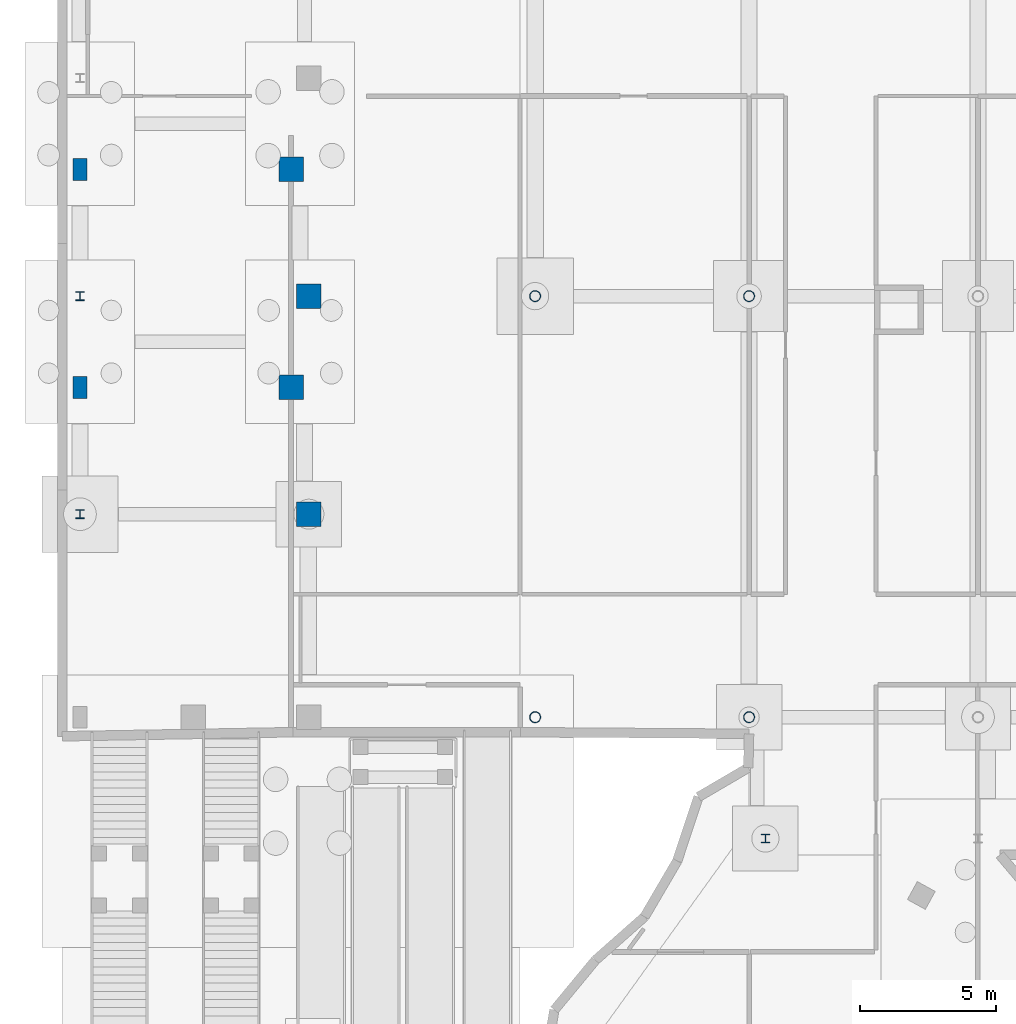
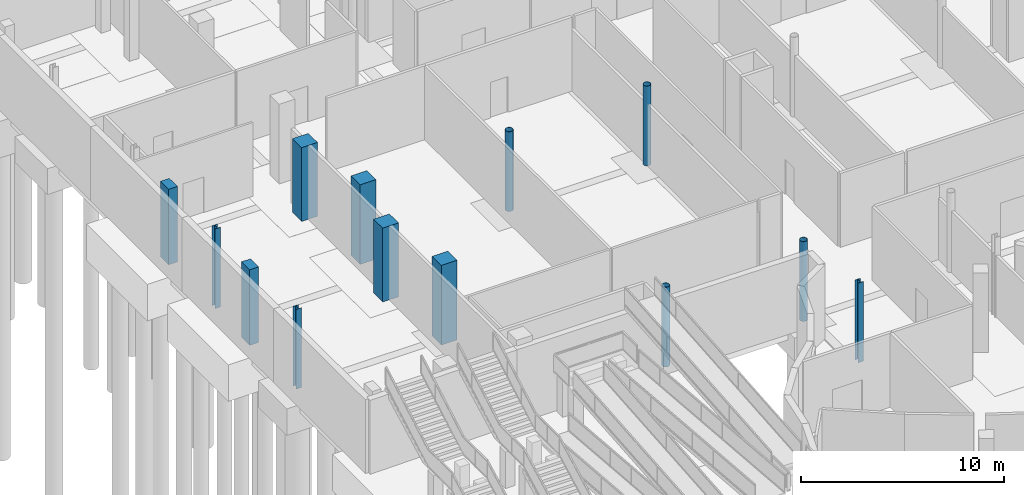
# One storey, part 11 of 45: 13 columns.
"""IFC4 building model written with IfcOpenShell, lengths in metres."""

from ifc_helpers import new_model, si_unit, direction, frame, origin, origin_2d, place, context, subcontext, project, spatial, rectangle, hollow_circle, i_section, extrude, material, material_profile, profile_set, type_object, element, save


model = new_model("IFC4")

# Units and contexts
model_context = context("Model", 3, precision=1e-05, world=origin(), true_north=direction((0.0, 1.0)))
body_context = subcontext(model_context, "Body", "Model", "MODEL_VIEW")
ifc_project = project(units=[si_unit("LENGTHUNIT", "METRE"), si_unit("AREAUNIT", "SQUARE_METRE"), si_unit("VOLUMEUNIT", "CUBIC_METRE"), si_unit("PLANEANGLEUNIT", "RADIAN"), si_unit("MASSUNIT", "GRAM", prefix="KILO")], contexts=[model_context])

# Site, building, storey
site_placement = place(None, origin())
site = spatial("IfcSite", under=ifc_project, at=site_placement, CompositionType="ELEMENT")
building_placement = place(site_placement, origin())
building = spatial("IfcBuilding", under=site, at=building_placement, Name="Selatvlak General Hospital", CompositionType="ELEMENT")
storey_placement = place(building_placement, frame((0.0, 0.0, -4.800048828125)))
storey = spatial("IfcBuildingStorey", under=building, at=storey_placement, Name="B1", CompositionType="ELEMENT", Elevation=-4.800048828125)

# Columns
ifc_material_1 = material(Name="Steel S355", Category="steel")
ifc_material_profile_1 = material_profile(ifc_material_1, hollow_circle(Radius=0.203125, WallThickness=0.01611328125, at=origin_2d()), Name="CHS 406.4x16")
ifc_profile_set_1 = profile_set([ifc_material_profile_1], Name="Steel S355")
column_type_1 = type_object("IfcColumnType", Name="COL-CHS406", PredefinedType="COLUMN", material=ifc_profile_set_1)
for number, where, z_axis, x_axis, name in (
    (1, (23.35009765625, 52.550048828125, 0.0), (0.0, 0.0, 1.0), (1.0, 0.0, 0.0), "Column 001 on B1"),
    (2, (23.35009765625, 68.0, 0.0), (0.0, 0.0, 1.0), (1.0, 0.0, 0.0), "Column 002 on B1"),
    (3, (31.199951171875, 52.550048828125, 0.0), (0.0, 0.0, 1.0), (1.0, 0.0, 0.0), "Column 004 on B1"),
    (4, (31.199951171875, 68.0, 0.0), (0.0, 0.0, 1.0), (1.0, 0.0, 0.0), "Column 005 on B1"),
):
    element("IfcColumn", number, at=place(storey_placement, frame(where, z_axis=z_axis, x_axis=x_axis)), inside=storey, type_object=column_type_1, Name=name, PredefinedType="COLUMN", context=body_context, shape_type="SweptSolid", body=[
        extrude(hollow_circle(Radius=0.203125, WallThickness=0.01611328125, at=origin_2d()), origin(), (0.0, 0.0, 1.0), 4.800048828125),
    ])
ifc_material_2 = material(Name="Concrete C50/60", Category="concrete")
ifc_material_profile_2 = material_profile(ifc_material_2, rectangle(XDim=0.5, YDim=0.800048828125, at=origin_2d()), Name="RC-COL 800x500")
ifc_profile_set_2 = profile_set([ifc_material_profile_2], Name="Concrete C50/60")
column_type_2 = type_object("IfcColumnType", Name="COL-RC85", PredefinedType="COLUMN", material=ifc_profile_set_2)
for number, where, z_axis, x_axis, name in (
    (5, (6.64990234375, 64.64990234375, 0.0), (0.0, 0.0, 1.0), (1.0, 0.0, 0.0), "Column 149 on B1"),
    (6, (6.64990234375, 72.64990234375, 0.0), (0.0, 0.0, 1.0), (1.0, 0.0, 0.0), "Column 150 on B1"),
):
    element("IfcColumn", number, at=place(storey_placement, frame(where, z_axis=z_axis, x_axis=x_axis)), inside=storey, type_object=column_type_2, Name=name, PredefinedType="COLUMN", context=body_context, shape_type="SweptSolid", body=[
        extrude(rectangle(XDim=0.5, YDim=0.800048828125, at=origin_2d()), origin(), (0.0, 0.0, 1.0), 4.554931640625),
    ])
ifc_material_profile_3 = material_profile(ifc_material_2, rectangle(XDim=0.89990234375, YDim=0.89990234375, at=origin_2d()), Name="RC-COL 900x900")
ifc_profile_set_3 = profile_set([ifc_material_profile_3], Name="Concrete C50/60")
column_type_3 = type_object("IfcColumnType", Name="COL-RC90", PredefinedType="COLUMN", material=ifc_profile_set_3)
for number, where, z_axis, x_axis, name in (
    (7, (15.050048828125, 60.0, 0.0), (0.0, 0.0, 1.0), (1.0, 0.0, 0.0), "Column 062 on B1"),
    (8, (15.050048828125, 68.0, 0.0), (0.0, 0.0, 1.0), (1.0, 0.0, 0.0), "Column 064 on B1"),
):
    element("IfcColumn", number, at=place(storey_placement, frame(where, z_axis=z_axis, x_axis=x_axis)), inside=storey, type_object=column_type_3, Name=name, PredefinedType="COLUMN", context=body_context, shape_type="SweptSolid", body=[
        extrude(rectangle(XDim=0.89990234375, YDim=0.89990234375, at=origin_2d()), origin(), (0.0, 0.0, 1.0), 4.800048828125),
    ])
for number, where, z_axis, x_axis, name in (
    (9, (14.39990234375, 64.64990234375, 0.0), (0.0, 0.0, 1.0), (1.0, 0.0, 0.0), "Column 152 on B1"),
    (10, (14.39990234375, 72.64990234375, 0.0), (0.0, 0.0, 1.0), (1.0, 0.0, 0.0), "Column 153 on B1"),
):
    element("IfcColumn", number, at=place(storey_placement, frame(where, z_axis=z_axis, x_axis=x_axis)), inside=storey, type_object=column_type_3, Name=name, PredefinedType="COLUMN", context=body_context, shape_type="SweptSolid", body=[
        extrude(rectangle(XDim=0.89990234375, YDim=0.89990234375, at=origin_2d()), origin(), (0.0, 0.0, 1.0), 4.449951171875),
    ])
ifc_material_profile_4 = material_profile(ifc_material_1, i_section(OverallWidth=0.30908203125, OverallDepth=0.320556640625, WebThickness=0.013916015625, FlangeThickness=0.021728515625, at=origin_2d()), Name="UC 305x305x137")
ifc_profile_set_4 = profile_set([ifc_material_profile_4], Name="Steel S355")
column_type_4 = type_object("IfcColumnType", Name="COL-UC305", PredefinedType="COLUMN", material=ifc_profile_set_4)
for number, where, z_axis, x_axis, name in (
    (11, (6.64990234375, 60.0, 0.0), (0.0, 0.0, 1.0), (1.0, 0.0, 0.0), "Column 061 on B1"),
    (12, (6.64990234375, 68.0, 0.0), (0.0, 0.0, 1.0), (1.0, 0.0, 0.0), "Column 063 on B1"),
    (13, (31.800048828125, 48.10009765625, 0.0), (0.0, 0.0, 1.0), (1.0, 0.0, 0.0), "Column 115 on B1"),
):
    element("IfcColumn", number, at=place(storey_placement, frame(where, z_axis=z_axis, x_axis=x_axis)), inside=storey, type_object=column_type_4, Name=name, PredefinedType="COLUMN", context=body_context, shape_type="SweptSolid", body=[
        extrude(i_section(OverallWidth=0.30908203125, OverallDepth=0.320556640625, WebThickness=0.013916015625, FlangeThickness=0.021728515625, at=origin_2d()), origin(), (0.0, 0.0, 1.0), 4.800048828125),
    ])

save(model, "model.ifc")
